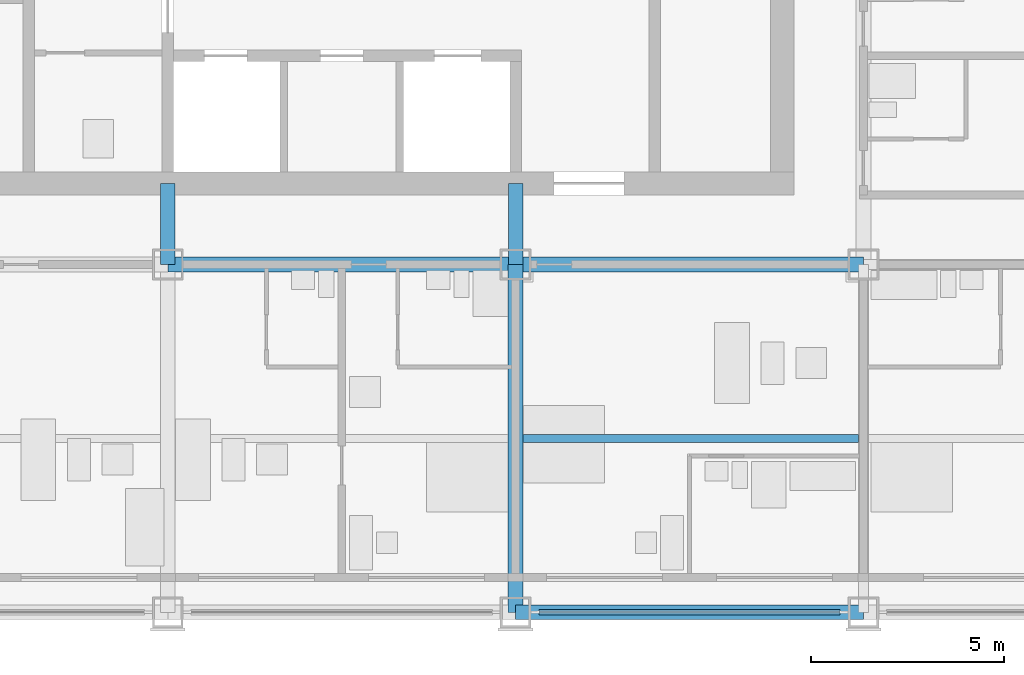
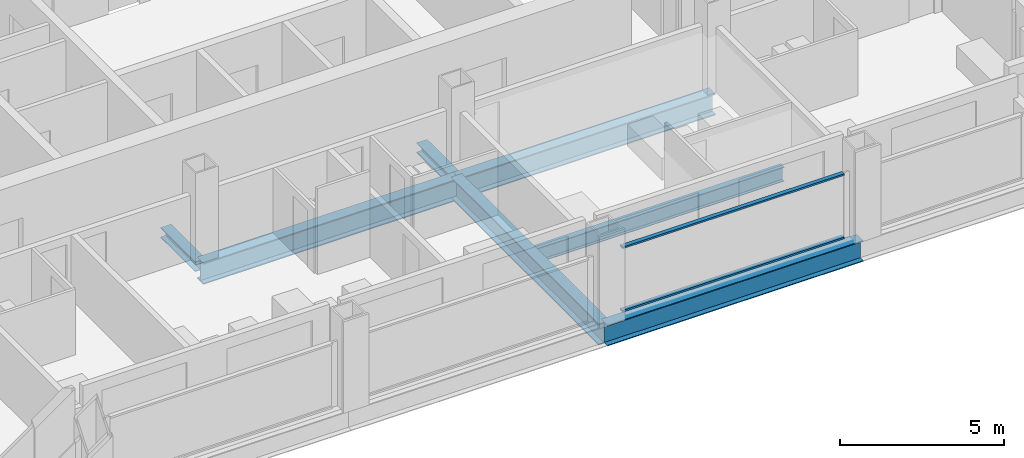
# One storey, part 3 of 13: 5 beams, 4 members, 1 element without a shape of its own.
"""IFC4 building model written with IfcOpenShell, lengths in metres."""

from ifc_helpers import new_model, si_unit, direction, frame, origin, origin_2d, place, context, subcontext, project, spatial, rectangle, i_section, extrude, material, material_profile, profile_set, type_object, element, aggregate, save


model = new_model("IFC4")

# Units and contexts
model_context = context("Model", 3, precision=1e-05, world=origin(), true_north=direction((0.0, 1.0)))
body_context = subcontext(model_context, "Body", "Model", "MODEL_VIEW")
ifc_project = project(units=[si_unit("LENGTHUNIT", "METRE"), si_unit("AREAUNIT", "SQUARE_METRE"), si_unit("VOLUMEUNIT", "CUBIC_METRE"), si_unit("PLANEANGLEUNIT", "RADIAN"), si_unit("MASSUNIT", "GRAM", prefix="KILO")], contexts=[model_context])

# Site, building, storey
site_placement = place(None, origin())
site = spatial("IfcSite", under=ifc_project, at=site_placement, CompositionType="ELEMENT")
building_placement = place(site_placement, origin())
building = spatial("IfcBuilding", under=site, at=building_placement, Name="Loomwork Tower", CompositionType="ELEMENT")
storey_placement = place(building_placement, frame((0.0, 0.0, 201.199951171875)))
storey = spatial("IfcBuildingStorey", under=building, at=storey_placement, Name="L55", CompositionType="ELEMENT", Elevation=201.199951171875)

# Beams
ifc_material_1 = material(Name="Steel ASTM A992", Category="steel")
ifc_material_profile_1 = material_profile(ifc_material_1, i_section(OverallWidth=0.383544921875, OverallDepth=0.794921875, WebThickness=0.02099609375, FlangeThickness=0.0380859375, at=origin_2d()), Name="W30x235")
ifc_profile_set_1 = profile_set([ifc_material_profile_1], Name="Steel ASTM A992")
beam_type_1 = type_object("IfcBeamType", Name="CORE FLANK GIRDER W30x235", PredefinedType="BEAM", material=ifc_profile_set_1)
for number, where, z_axis, x_axis, name in (
    (1, (18.0, 9.0, -0.597412109375), (1.0, 0.0, 0.0), (0.0, 1.0, 0.0), "Core Flank Girder E/4-E/5 L55"),
    (2, (27.0, 9.0, -0.597412109375), (1.0, 0.0, 0.0), (0.0, 1.0, 0.0), "Core Flank Girder E/5-E/6 L55"),
    (3, (27.0, 0.0, -0.597412109375), (0.0, 1.0, 0.0), (-1.0, 0.0, 0.0), "Core Flank Girder D/5-E/5 L55"),
):
    element("IfcBeam", number, at=place(storey_placement, frame(where, z_axis=z_axis, x_axis=x_axis)), inside=storey, type_object=beam_type_1, Name=name, PredefinedType="BEAM", context=body_context, shape_type="SweptSolid", body=[
        extrude(i_section(OverallWidth=0.383544921875, OverallDepth=0.794921875, WebThickness=0.02099609375, FlangeThickness=0.0380859375, at=origin_2d()), origin(), (0.0, 0.0, 1.0), 9.0),
    ])

# Members
ifc_material_2 = material(Name="Steel ASTM A992", Category="steel")
ifc_material_profile_2 = material_profile(ifc_material_2, i_section(OverallWidth=0.373291015625, OverallDepth=0.373291015625, WebThickness=0.016357421875, FlangeThickness=0.026123046875, at=origin_2d()), Name="W14x132")
ifc_profile_set_2 = profile_set([ifc_material_profile_2], Name="Steel ASTM A992")
member_type_1 = type_object("IfcMemberType", Name="CORE LINK STRUT W14x132", PredefinedType="STRUT", material=ifc_profile_set_2)
for number, where, z_axis, x_axis, name in (
    (4, (27.0, 9.0, -0.38671875), (0.0, 1.0, 0.0), (-1.0, 0.0, 0.0), "Core link strut E/5-27.000,11.100 L55"),
    (5, (18.0, 9.0, -0.38671875), (0.0, 1.0, 0.0), (-1.0, 0.0, 0.0), "Core link strut E/4-18.000,11.100 L55"),
):
    element("IfcMember", number, at=place(storey_placement, frame(where, z_axis=z_axis, x_axis=x_axis)), inside=storey, type_object=member_type_1, Name=name, PredefinedType="STRUT", context=body_context, shape_type="SweptSolid", body=[
        extrude(i_section(OverallWidth=0.373291015625, OverallDepth=0.373291015625, WebThickness=0.016357421875, FlangeThickness=0.026123046875, at=origin_2d()), origin(), (0.0, 0.0, 1.0), 2.10009765625),
    ])

# Beam
ifc_material_3 = material(Name="Steel ASTM A992", Category="steel")
ifc_material_profile_3 = material_profile(ifc_material_3, i_section(OverallWidth=0.2109375, OverallDepth=0.53857421875, WebThickness=0.011474609375, FlangeThickness=0.018798828125, at=origin_2d()), Name="W21x73")
ifc_profile_set_3 = profile_set([ifc_material_profile_3], Name="Steel ASTM A992")
beam_type_2 = type_object("IfcBeamType", Name="FLOOR JOIST W21x73", PredefinedType="JOIST", material=ifc_profile_set_3)
beam_1_placement = place(storey_placement, frame((27.19091796875, 4.5, -0.46923828125), z_axis=(1.0, 0.0, 0.0), x_axis=(0.0, 1.0, 0.0)))
element("IfcBeam", 6, at=beam_1_placement, inside=storey, type_object=beam_type_2, Name="Floor Joist 27.000,4.500-36.000,4.500 L55", PredefinedType="JOIST", context=body_context, shape_type="SweptSolid", body=[
    extrude(i_section(OverallWidth=0.2109375, OverallDepth=0.53857421875, WebThickness=0.011474609375, FlangeThickness=0.018798828125, at=origin_2d()), origin(), (0.0, 0.0, 1.0), 8.676025390625),
])

# Curtain wall, members
ifc_material_4 = material(Name="Aluminium curtain wall frame", Category="aluminium")
curtain_wall_type = type_object("IfcCurtainWallType", Name="Outer skin glazing hotel", PredefinedType="NOTDEFINED", material=ifc_material_4)
curtain_wall_placement = place(storey_placement, origin())
curtain_wall = element("IfcCurtainWall", 7, at=curtain_wall_placement, inside=storey, type_object=curtain_wall_type, Name="Outer skin glazing hotel cw/S-27", PredefinedType="NOTDEFINED")
ifc_material_5 = material(Name="Aluminium curtain wall frame", Category="aluminium")
ifc_material_profile_4 = material_profile(ifc_material_5, rectangle(XDim=0.14990234375, YDim=0.06494140625, at=origin_2d()), Name="AL 65x150")
ifc_profile_set_4 = profile_set([ifc_material_profile_4], Name="Aluminium curtain wall frame")
member_type_2 = type_object("IfcMemberType", Name="Outer skin glazing hotel transom", PredefinedType="USERDEFINED", material=ifc_profile_set_4)
member_1_placement = place(storey_placement, frame((27.60009765625, 0.0, 0.032470703125), z_axis=(1.0, 0.0, 0.0), x_axis=(0.0, 1.0, 0.0)))
member_1 = element("IfcMember", 8, at=member_1_placement, type_object=member_type_2, Name="CW1 transom 1.1", ObjectType="TRANSOM", PredefinedType="USERDEFINED", context=body_context, shape_type="SweptSolid", body=[
    extrude(rectangle(XDim=0.14990234375, YDim=0.06494140625, at=origin_2d()), origin(), (0.0, 0.0, 1.0), 7.7998046875),
])
member_2_placement = place(storey_placement, frame((27.60009765625, 0.0, 2.3876953125), z_axis=(1.0, 0.0, 0.0), x_axis=(0.0, 1.0, 0.0)))
member_2 = element("IfcMember", 9, at=member_2_placement, type_object=member_type_2, Name="CW1 transom 1.2", ObjectType="TRANSOM", PredefinedType="USERDEFINED", context=body_context, shape_type="SweptSolid", body=[
    extrude(rectangle(XDim=0.14990234375, YDim=0.06494140625, at=origin_2d()), origin(), (0.0, 0.0, 1.0), 7.7998046875),
])
aggregate(curtain_wall, [member_1, member_2])

# Beam
ifc_material_6 = material(Name="Steel ASTM A992", Category="steel")
ifc_material_profile_5 = material_profile(ifc_material_6, i_section(OverallWidth=0.381103515625, OverallDepth=0.77978515625, WebThickness=0.01806640625, FlangeThickness=0.0302734375, at=origin_2d()), Name="W30x191")
ifc_profile_set_5 = profile_set([ifc_material_profile_5], Name="Steel ASTM A992")
beam_type_3 = type_object("IfcBeamType", Name="SPANDREL GIRDER W30x191", PredefinedType="SPANDREL", material=ifc_profile_set_5)
beam_2_placement = place(storey_placement, frame((27.0, 0.0, -0.58984375), z_axis=(1.0, 0.0, 0.0), x_axis=(0.0, 1.0, 0.0)))
element("IfcBeam", 10, at=beam_2_placement, inside=storey, type_object=beam_type_3, Name="Spandrel Girder D/5-D/6 L55", PredefinedType="SPANDREL", context=body_context, shape_type="SweptSolid", body=[
    extrude(i_section(OverallWidth=0.381103515625, OverallDepth=0.77978515625, WebThickness=0.01806640625, FlangeThickness=0.0302734375, at=origin_2d()), origin(), (0.0, 0.0, 1.0), 9.0),
])

save(model, "model.ifc")
